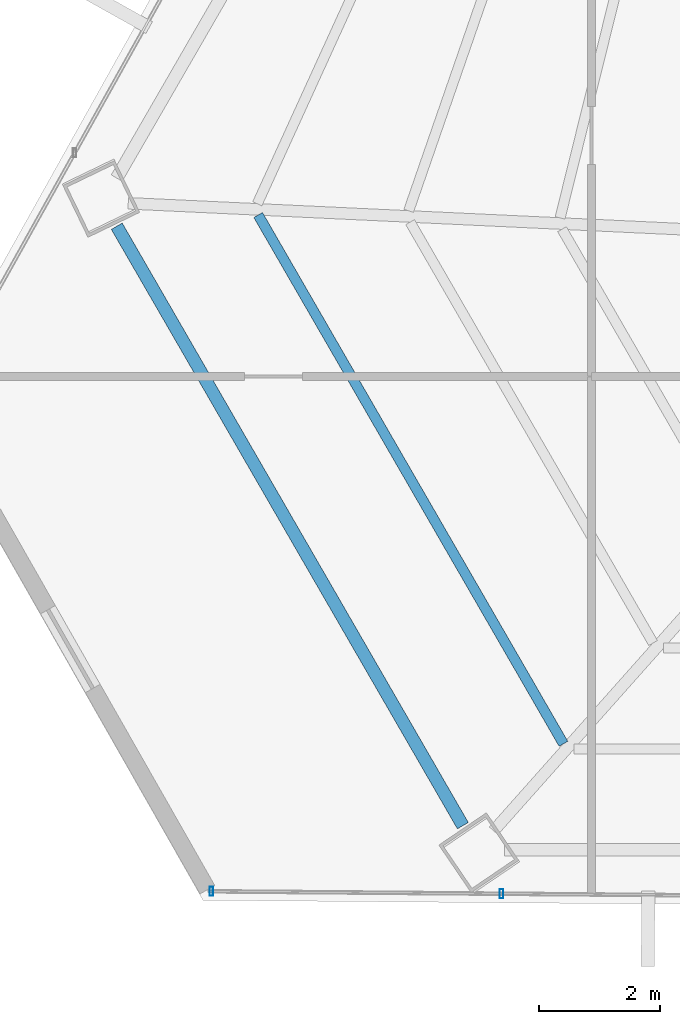
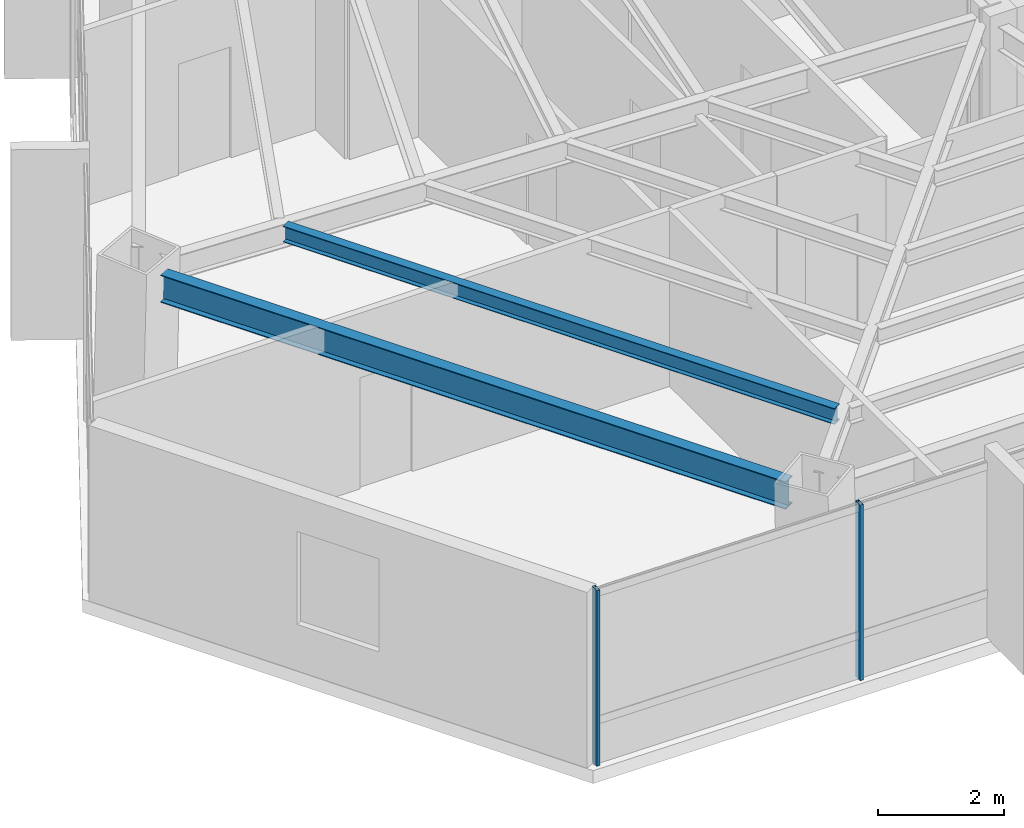
# One storey, part 2 of 38: 2 beams, 2 members, 1 element without a shape of its own.
"""IFC4 building model written with IfcOpenShell, lengths in metres."""

from ifc_helpers import new_model, si_unit, direction, frame, origin, origin_2d, place, context, subcontext, project, spatial, hollow_rectangle, i_section, extrude, source, transform, mapped, material, material_profile, profile_set, type_object, type_shapes, element, aggregate, save


model = new_model("IFC4")

# Units and contexts
model_context = context("Model", 3, precision=1e-05, world=origin(), true_north=direction((0.0, 1.0)))
body_context = subcontext(model_context, "Body", "Model", "MODEL_VIEW")
ifc_project = project(units=[si_unit("LENGTHUNIT", "METRE"), si_unit("AREAUNIT", "SQUARE_METRE"), si_unit("VOLUMEUNIT", "CUBIC_METRE"), si_unit("PLANEANGLEUNIT", "RADIAN"), si_unit("MASSUNIT", "GRAM", prefix="KILO")], contexts=[model_context])

# Site, building, storey
site_placement = place(None, origin())
site = spatial("IfcSite", under=ifc_project, at=site_placement, CompositionType="ELEMENT")
building_placement = place(site_placement, origin())
building = spatial("IfcBuilding", under=site, at=building_placement, Name="Caelisora Broadcast Tower", CompositionType="ELEMENT")
storey_placement = place(building_placement, frame((0.0, 0.0, 154.85009765625)))
storey = spatial("IfcBuildingStorey", under=building, at=storey_placement, Name="L40", CompositionType="ELEMENT", Elevation=154.85009765625)

# Beams
ifc_material_1 = material(Name="Steel Grade 350 (AS/NZS 3679.1)", Category="steel")
ifc_material_profile_1 = material_profile(ifc_material_1, i_section(OverallWidth=0.208984375, OverallDepth=0.532958984375, WebThickness=0.01025390625, FlangeThickness=0.015625, at=origin_2d()), Name="Steel Grade 350 (AS/NZS 3679.1)")
ifc_profile_set_1 = profile_set([ifc_material_profile_1], Name="Steel Grade 350 (AS/NZS 3679.1)")
beam_type_1 = type_object("IfcBeamType", Name="PG05", PredefinedType="BEAM", material=ifc_profile_set_1)
shared_shape_1 = source(origin(), body_context, "Body", "SweptSolid", [
    extrude(i_section(OverallWidth=0.208984375, OverallDepth=0.532958984375, WebThickness=0.01025390625, FlangeThickness=0.015625, at=origin_2d()), origin(), (0.0, 0.0, 1.0), 11.448974609375),
])
type_shapes(beam_type_1, [shared_shape_1])
beam_1_placement = place(storey_placement, frame((15.650146484375, 17.706298828125, 3.13330078125), z_axis=(0.5000104094, -0.866019393831, 0.0), x_axis=(0.866019393831, 0.5000104094, 0.0)))
element("IfcBeam", 1, at=beam_1_placement, inside=storey, type_object=beam_type_1, Name="L40 beam PG05", PredefinedType="BEAM", context=body_context, shape_type="MappedRepresentation", body=[
    mapped(shared_shape_1, transform((0.0, 0.0, 0.0), scale=1.0)),
])
ifc_material_profile_2 = material_profile(ifc_material_1, i_section(OverallWidth=0.166015625, OverallDepth=0.30712890625, WebThickness=0.006591796875, FlangeThickness=0.01171875, at=origin_2d()), Name="Steel Grade 350 (AS/NZS 3679.1)")
ifc_profile_set_2 = profile_set([ifc_material_profile_2], Name="Steel Grade 350 (AS/NZS 3679.1)")
beam_type_2 = type_object("IfcBeamType", Name="SB03", PredefinedType="JOIST", material=ifc_profile_set_2)
shared_shape_2 = source(origin(), body_context, "Body", "SweptSolid", [
    extrude(i_section(OverallWidth=0.166015625, OverallDepth=0.30712890625, WebThickness=0.006591796875, FlangeThickness=0.01171875, at=origin_2d()), origin(), (0.0, 0.0, 1.0), 10.099365234375),
])
type_shapes(beam_type_2, [shared_shape_2])
beam_2_placement = place(storey_placement, frame((17.98876953125, 17.8916015625, 3.246337890625), z_axis=(0.499989604075, -0.866031405791, 0.0), x_axis=(0.866031405791, 0.499989604075, 0.0)))
element("IfcBeam", 2, at=beam_2_placement, inside=storey, type_object=beam_type_2, Name="L40 beam SB03", PredefinedType="JOIST", context=body_context, shape_type="MappedRepresentation", body=[
    mapped(shared_shape_2, transform((0.0, 0.0, 0.0), scale=1.0)),
])

# Curtain wall, members
ifc_material_2 = material(Name="Unitised Aluminium and Low-E Glass Curtain Wall", Category="glass")
curtain_wall_type = type_object("IfcCurtainWallType", Name="CW-Z3", PredefinedType="NOTDEFINED", material=ifc_material_2)
curtain_wall_placement = place(storey_placement, origin())
curtain_wall = element("IfcCurtainWall", 3, at=curtain_wall_placement, inside=storey, type_object=curtain_wall_type, Name="L40 curtain wall CW-Z3", PredefinedType="NOTDEFINED")
ifc_material_3 = material(Name="Aluminium 6063-T6 Anodised Terracotta Bronze", Category="aluminium")
ifc_material_profile_3 = material_profile(ifc_material_3, hollow_rectangle(XDim=0.06005859375, YDim=0.14990234375, WallThickness=0.00341796875, at=origin_2d()), Name="Aluminium 6063-T6 Anodised Terracotta Bronze")
ifc_profile_set_3 = profile_set([ifc_material_profile_3], Name="Aluminium 6063-T6 Anodised Terracotta Bronze")
member_type = type_object("IfcMemberType", Name="CWM-03", PredefinedType="MULLION", material=ifc_profile_set_3)
shared_shape_3 = source(origin(), body_context, "Body", "SweptSolid", [
    extrude(hollow_rectangle(XDim=0.06005859375, YDim=0.14990234375, WallThickness=0.00341796875, at=origin_2d()), origin(), (0.0, 0.0, 1.0), 3.39990234375),
])
type_shapes(member_type, [shared_shape_3])
member_1_placement = place(storey_placement, frame((22.014404296875, 6.666015625, 0.0), z_axis=(0.0, 0.0, 1.0), x_axis=(1.0, 0.0, 0.0)))
member_1 = element("IfcMember", 4, at=member_1_placement, type_object=member_type, Name="L40-CW-B07 mullion #2", PredefinedType="MULLION", context=body_context, shape_type="MappedRepresentation", body=[
    mapped(shared_shape_3, transform((0.0, 0.0, 0.0), scale=1.0)),
])
member_2_placement = place(storey_placement, frame((17.214111328125, 6.70556640625, 0.0), z_axis=(0.0, 0.0, 1.0), x_axis=(1.0, 0.0, 0.0)))
member_2 = element("IfcMember", 5, at=member_2_placement, type_object=member_type, Name="L40-CW-B07 mullion #3", PredefinedType="MULLION", context=body_context, shape_type="MappedRepresentation", body=[
    mapped(shared_shape_3, transform((0.0, 0.0, 0.0), scale=1.0)),
])
aggregate(curtain_wall, [member_1, member_2])

save(model, "model.ifc")
